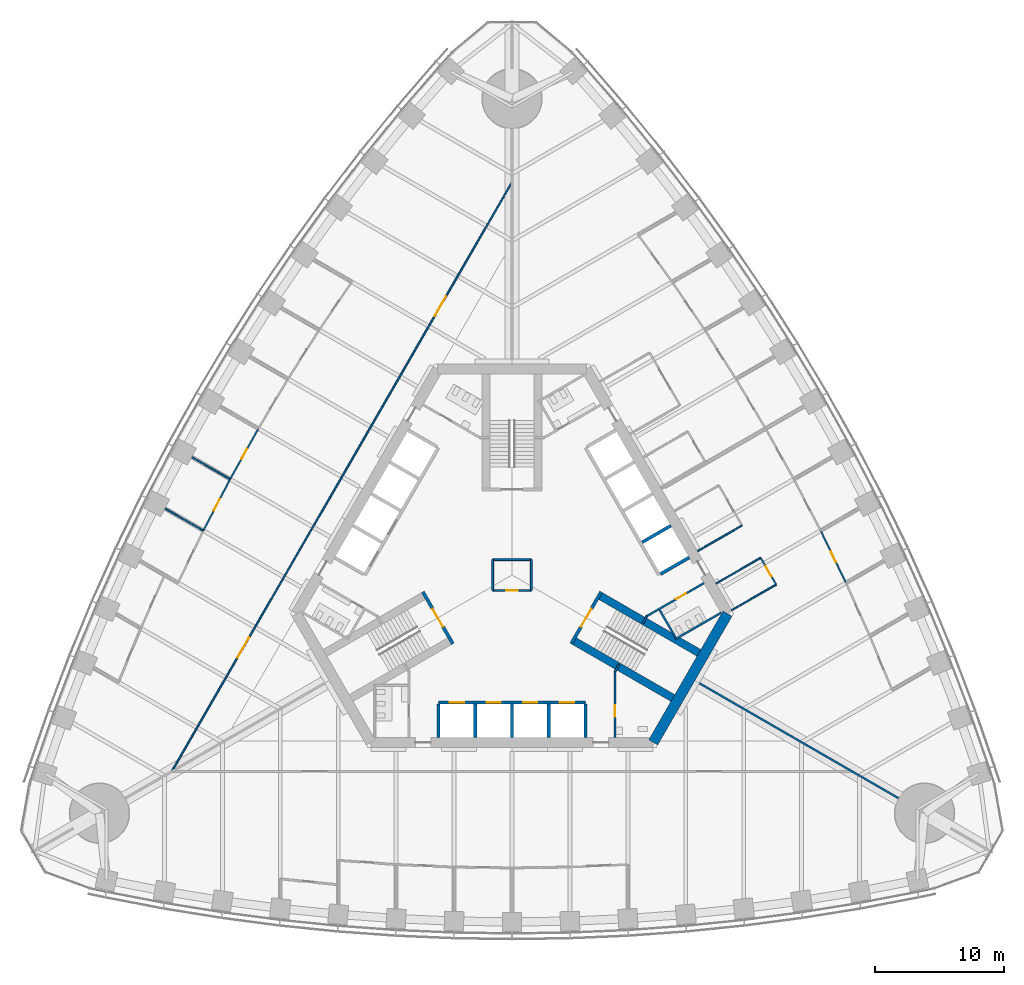
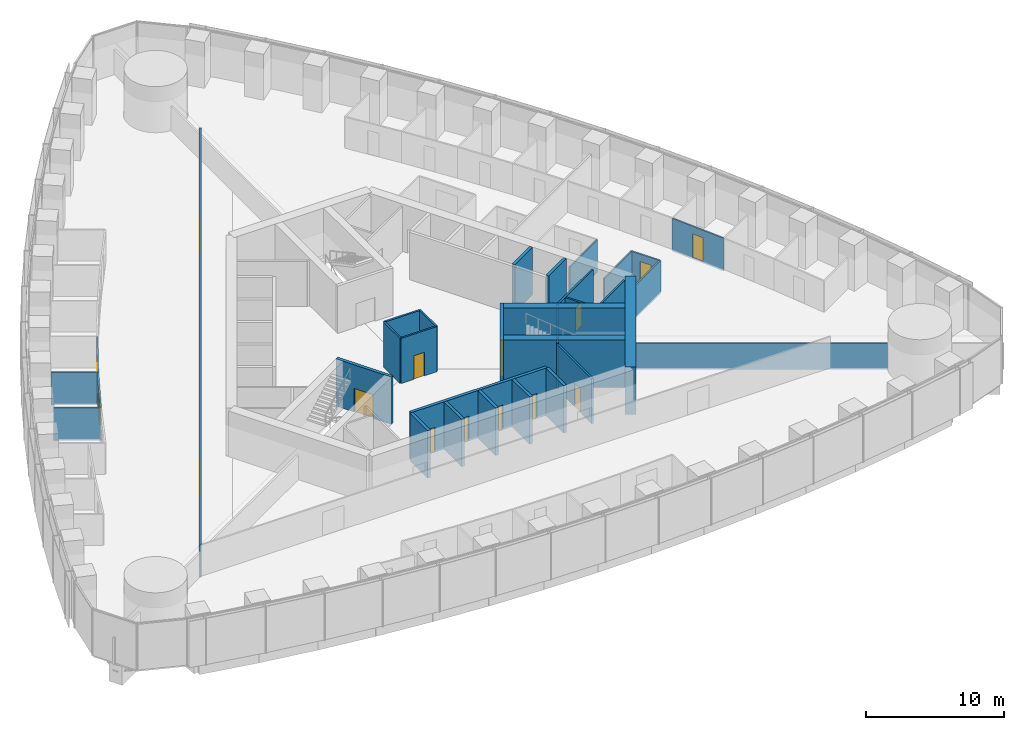
# One storey, part 11 of 18: 34 walls, 15 doors, 15 openings.
"""IFC4 building model written with IfcOpenShell, lengths in metres."""

from ifc_helpers import new_model, si_unit, direction, frame, frame_2d, origin, place, context, subcontext, project, spatial, rectangle, extrude, material, layer, layer_set, type_object, element, fill, save


model = new_model("IFC4")

# Units and contexts
model_context = context("Model", 3, precision=1e-05, world=origin(), true_north=direction((0.0, 1.0)))
body_context = subcontext(model_context, "Body", "Model", "MODEL_VIEW")
ifc_project = project(units=[si_unit("LENGTHUNIT", "METRE"), si_unit("AREAUNIT", "SQUARE_METRE"), si_unit("VOLUMEUNIT", "CUBIC_METRE"), si_unit("PLANEANGLEUNIT", "RADIAN"), si_unit("MASSUNIT", "GRAM", prefix="KILO")], contexts=[model_context])

# Site, building, storey
site_placement = place(None, origin())
site = spatial("IfcSite", under=ifc_project, at=site_placement, CompositionType="ELEMENT")
building_placement = place(site_placement, origin())
building = spatial("IfcBuilding", under=site, at=building_placement, Name="Trefoil Bronze Tower", CompositionType="ELEMENT")
storey_placement = place(building_placement, frame((0.0, 0.0, 54.300048828125)))
storey = spatial("IfcBuildingStorey", under=building, at=storey_placement, Name="L12", CompositionType="ELEMENT", Elevation=54.300048828125)

# Wall
ifc_material_1 = material(Name="Concrete B80", Category="concrete")
ifc_layer_1 = layer(ifc_material_1, 0.800048828125)
ifc_layer_set_1 = layer_set([ifc_layer_1], Name="Core wall 800")
wall_type_1 = type_object("IfcWallType", Name="Core wall 800", PredefinedType="SHEAR", material=ifc_layer_set_1)
wall_1_placement = place(storey_placement, frame((10.9697265625, -13.0, 0.0), z_axis=(0.0, 0.0, 1.0), x_axis=(0.499995765644, 0.866027848477, 0.0)))
element("IfcWall", 1, at=wall_1_placement, inside=storey, type_object=wall_type_1, Name="Core short wall 1 L12", PredefinedType="SHEAR", context=body_context, shape_type="SweptSolid", body=[
    extrude(rectangle(XDim=11.546875, YDim=0.800048828125, at=frame_2d((5.7734375, 0.0))), origin(), (0.0, 0.0, 1.0), 4.199951171875),
])

# Wall, opening, door
ifc_material_2 = material(Name="Glazed partition", Category="glass")
ifc_layer_2 = layer(ifc_material_2, 0.1201171875)
ifc_layer_set_2 = layer_set([ifc_layer_2], Name="Glazed partition 120")
wall_type_2 = type_object("IfcWallType", Name="Glazed partition 120", PredefinedType="PARTITIONING", material=ifc_layer_set_2)
wall_2_placement = place(storey_placement, frame((20.518798828125, -0.73974609375, 0.0), z_axis=(0.0, 0.0, 1.0), x_axis=(-0.499957262057, 0.866050077142, 0.0)))
wall_2 = element("IfcWall", 2, at=wall_2_placement, inside=storey, type_object=wall_type_2, Name="Partition F2 L12", PredefinedType="PARTITIONING", context=body_context, shape_type="SweptSolid", body=[
    extrude(rectangle(XDim=2.400146484375, YDim=0.1201171875, at=frame_2d((1.2001953125, 0.0))), origin(), (0.0, 0.0, 1.0), 2.89990234375),
])
opening_1_placement = place(wall_2_placement, frame((0.75, 0.0, 0.14990234375)))
opening_1 = element("IfcOpeningElement", 3, at=opening_1_placement, cuts=wall_2, Name="Opening D8", PredefinedType="OPENING", context=body_context, shape_type="SweptSolid", body=[
    extrude(rectangle(XDim=0.89990234375, YDim=2.10009765625, at=frame_2d((0.449951171875, 1.050048828125))), frame((0.0, 0.070068359375, 0.0), z_axis=(0.0, -1.0, 0.0), x_axis=(1.0, 0.0, 0.0)), (0.0, 0.0, 1.0), 0.14013671875),
])
ifc_material_3 = material(Name="Timber door", Category="wood")
door_type_1 = type_object("IfcDoorType", Name="Office door 900", OperationType="SINGLE_SWING_LEFT", PredefinedType="DOOR", material=ifc_material_3)
door_1_placement = place(opening_1_placement, origin())
door_1 = element("IfcDoor", 4, at=door_1_placement, inside=storey, type_object=door_type_1, Name="Print and store room door F2 L12", OperationType="SINGLE_SWING_RIGHT", OverallHeight=2.10009765625, OverallWidth=0.89990234375, PredefinedType="DOOR", context=body_context, shape_type="SweptSolid", body=[
    extrude(rectangle(XDim=0.89990234375, YDim=2.10009765625, at=frame_2d((0.449951171875, 1.050048828125))), frame((0.0, 0.02490234375, 0.0), z_axis=(0.0, -1.0, 0.0), x_axis=(1.0, 0.0, 0.0)), (0.0, 0.0, 1.0), 0.050048828125),
])
fill(opening_1, door_1)

# Walls
for number, where, z_axis, x_axis, name in (
    (5, (17.0546875, -2.73974609375, 0.0), (0.0, 0.0, 1.0), (0.866026010844, 0.49999894854, 0.0), "Partition F2 L12"),
    (6, (14.40478515625, 1.850341796875, 0.0), (0.0, 0.0, 1.0), (0.866026010844, 0.49999894854, 0.0), "Partition F2 L12"),
    (7, (15.854736328125, -0.6611328125, 0.0), (0.0, 0.0, 1.0), (0.866026010844, 0.49999894854, 0.0), "Partition F2 L12"),
):
    element("IfcWall", number, at=place(storey_placement, frame(where, z_axis=z_axis, x_axis=x_axis)), inside=storey, type_object=wall_type_2, Name=name, PredefinedType="PARTITIONING", context=body_context, shape_type="SweptSolid", body=[
        extrude(rectangle(XDim=4.0, YDim=0.1201171875, at=frame_2d((2.0, 0.0))), origin(), (0.0, 0.0, 1.0), 2.89990234375),
    ])

# Wall, opening, door
wall_3_placement = place(storey_placement, frame((25.941162109375, -0.611328125, 0.0), z_axis=(0.0, 0.0, 1.0), x_axis=(-0.435857917556, 0.900015486369, 0.0)))
wall_3 = element("IfcWall", 8, at=wall_3_placement, inside=storey, type_object=wall_type_2, Name="Partition F2 L12", PredefinedType="PARTITIONING", context=body_context, shape_type="SweptSolid", body=[
    extrude(rectangle(XDim=4.511962890625, YDim=0.1201171875, at=frame_2d((2.255859375, 0.0))), origin(), (0.0, 0.0, 1.0), 2.89990234375),
])
opening_2_placement = place(wall_3_placement, frame((1.800048828125, 0.0, 0.14990234375)))
opening_2 = element("IfcOpeningElement", 9, at=opening_2_placement, cuts=wall_3, Name="Opening D8", PredefinedType="OPENING", context=body_context, shape_type="SweptSolid", body=[
    extrude(rectangle(XDim=0.89990234375, YDim=2.10009765625, at=frame_2d((0.449951171875, 1.050048828125))), frame((0.0, 0.070068359375, 0.0), z_axis=(0.0, -1.0, 0.0), x_axis=(1.0, 0.0, 0.0)), (0.0, 0.0, 1.0), 0.14013671875),
])
door_2_placement = place(opening_2_placement, frame((0.89990234375, 0.0, 0.0), z_axis=(0.0, 0.0, 1.0), x_axis=(-1.0, 0.0, 0.0)))
door_2 = element("IfcDoor", 10, at=door_2_placement, inside=storey, type_object=door_type_1, Name="Office door F2 L12", OperationType="SINGLE_SWING_RIGHT", OverallHeight=2.10009765625, OverallWidth=0.89990234375, PredefinedType="DOOR", context=body_context, shape_type="SweptSolid", body=[
    extrude(rectangle(XDim=0.89990234375, YDim=2.10009765625, at=frame_2d((0.449951171875, 1.050048828125))), frame((0.0, 0.02490234375, 0.0), z_axis=(0.0, -1.0, 0.0), x_axis=(1.0, 0.0, 0.0)), (0.0, 0.0, 1.0), 0.050048828125),
])
fill(opening_2, door_2)

# Wall, openings, doors
wall_4_placement = place(storey_placement, frame((-0.016357421875, 30.491455078125, 0.0), z_axis=(0.0, 0.0, 1.0), x_axis=(-0.50000091641, -0.866024874695, 0.0)))
wall_4 = element("IfcWall", 11, at=wall_4_placement, inside=storey, type_object=wall_type_2, Name="Partition F3 L12", PredefinedType="PARTITIONING", context=body_context, shape_type="SweptSolid", body=[
    extrude(rectangle(XDim=52.79638671875, YDim=0.1201171875, at=frame_2d((26.398193359375, 0.0))), origin(), (0.0, 0.0, 1.0), 2.89990234375),
])
opening_3_placement = place(wall_4_placement, frame((10.199951171875, 0.0, 0.14990234375)))
opening_3 = element("IfcOpeningElement", 12, at=opening_3_placement, cuts=wall_4, Name="Opening D10", PredefinedType="OPENING", context=body_context, shape_type="SweptSolid", body=[
    extrude(rectangle(XDim=1.800048828125, YDim=2.10009765625, at=frame_2d((0.89990234375, 1.050048828125))), frame((0.0, 0.070068359375, 0.0), z_axis=(0.0, -1.0, 0.0), x_axis=(1.0, 0.0, 0.0)), (0.0, 0.0, 1.0), 0.14013671875),
])
opening_4_placement = place(wall_4_placement, frame((40.800048828125, 0.0, 0.14990234375)))
opening_4 = element("IfcOpeningElement", 13, at=opening_4_placement, cuts=wall_4, Name="Opening D10", PredefinedType="OPENING", context=body_context, shape_type="SweptSolid", body=[
    extrude(rectangle(XDim=1.800048828125, YDim=2.10009765625, at=frame_2d((0.89990234375, 1.050048828125))), frame((0.0, 0.070068359375, 0.0), z_axis=(0.0, -1.0, 0.0), x_axis=(1.0, 0.0, 0.0)), (0.0, 0.0, 1.0), 0.14013671875),
])
ifc_material_4 = material(Name="Timber door", Category="wood")
door_type_2 = type_object("IfcDoorType", Name="Double door 1800", OperationType="DOUBLE_DOOR_SINGLE_SWING", PredefinedType="DOOR", material=ifc_material_4)
door_3_placement = place(opening_3_placement, origin())
door_3 = element("IfcDoor", 14, at=door_3_placement, inside=storey, type_object=door_type_2, Name="Corridor door F3 L12", OperationType="DOUBLE_DOOR_SINGLE_SWING", OverallHeight=2.10009765625, OverallWidth=1.800048828125, PredefinedType="DOOR", context=body_context, shape_type="SweptSolid", body=[
    extrude(rectangle(XDim=1.800048828125, YDim=2.10009765625, at=frame_2d((0.89990234375, 1.050048828125))), frame((0.0, 0.02490234375, 0.0), z_axis=(0.0, -1.0, 0.0), x_axis=(1.0, 0.0, 0.0)), (0.0, 0.0, 1.0), 0.050048828125),
])
fill(opening_3, door_3)
door_4_placement = place(opening_4_placement, origin())
door_4 = element("IfcDoor", 15, at=door_4_placement, inside=storey, type_object=door_type_2, Name="Corridor door F3 L12", OperationType="DOUBLE_DOOR_SINGLE_SWING", OverallHeight=2.10009765625, OverallWidth=1.800048828125, PredefinedType="DOOR", context=body_context, shape_type="SweptSolid", body=[
    extrude(rectangle(XDim=1.800048828125, YDim=2.10009765625, at=frame_2d((0.89990234375, 1.050048828125))), frame((0.0, 0.02490234375, 0.0), z_axis=(0.0, -1.0, 0.0), x_axis=(1.0, 0.0, 0.0)), (0.0, 0.0, 1.0), 0.050048828125),
])
fill(opening_4, door_4)

# Wall, opening, door
wall_5_placement = place(storey_placement, frame((-19.700927734375, 11.374267578125, 0.0), z_axis=(0.0, 0.0, 1.0), x_axis=(-0.487415216275, -0.87317031955, 0.0)))
wall_5 = element("IfcWall", 16, at=wall_5_placement, inside=storey, type_object=wall_type_2, Name="Partition F3 L12", PredefinedType="PARTITIONING", context=body_context, shape_type="SweptSolid", body=[
    extrude(rectangle(XDim=4.50048828125, YDim=0.1201171875, at=frame_2d((2.250244140625, 0.0))), origin(), (0.0, 0.0, 1.0), 2.89990234375),
])
opening_5_placement = place(wall_5_placement, frame((1.800048828125, 0.0, 0.14990234375)))
opening_5 = element("IfcOpeningElement", 17, at=opening_5_placement, cuts=wall_5, Name="Opening D8", PredefinedType="OPENING", context=body_context, shape_type="SweptSolid", body=[
    extrude(rectangle(XDim=0.89990234375, YDim=2.10009765625, at=frame_2d((0.449951171875, 1.050048828125))), frame((0.0, 0.070068359375, 0.0), z_axis=(0.0, -1.0, 0.0), x_axis=(1.0, 0.0, 0.0)), (0.0, 0.0, 1.0), 0.14013671875),
])
door_5_placement = place(opening_5_placement, frame((0.89990234375, 0.0, 0.0), z_axis=(0.0, 0.0, 1.0), x_axis=(-1.0, 0.0, 0.0)))
door_5 = element("IfcDoor", 18, at=door_5_placement, inside=storey, type_object=door_type_1, Name="Office door F3 L12", OperationType="SINGLE_SWING_RIGHT", OverallHeight=2.10009765625, OverallWidth=0.89990234375, PredefinedType="DOOR", context=body_context, shape_type="SweptSolid", body=[
    extrude(rectangle(XDim=0.89990234375, YDim=2.10009765625, at=frame_2d((0.449951171875, 1.050048828125))), frame((0.0, 0.02490234375, 0.0), z_axis=(0.0, -1.0, 0.0), x_axis=(1.0, 0.0, 0.0)), (0.0, 0.0, 1.0), 0.050048828125),
])
fill(opening_5, door_5)

wall_6_placement = place(storey_placement, frame((-21.89453125, 7.444580078125, 0.0), z_axis=(0.0, 0.0, 1.0), x_axis=(-0.461810056307, -0.886978845235, 0.0)))
wall_6 = element("IfcWall", 19, at=wall_6_placement, inside=storey, type_object=wall_type_2, Name="Partition F3 L12", PredefinedType="PARTITIONING", context=body_context, shape_type="SweptSolid", body=[
    extrude(rectangle(XDim=4.504150390625, YDim=0.1201171875, at=frame_2d((2.251953125, 0.0))), origin(), (0.0, 0.0, 1.0), 2.89990234375),
])
opening_6_placement = place(wall_6_placement, frame((1.75, 0.0, 0.14990234375)))
opening_6 = element("IfcOpeningElement", 20, at=opening_6_placement, cuts=wall_6, Name="Opening D9", PredefinedType="OPENING", context=body_context, shape_type="SweptSolid", body=[
    extrude(rectangle(XDim=1.0, YDim=2.10009765625, at=frame_2d((0.5, 1.050048828125))), frame((0.0, 0.070068359375, 0.0), z_axis=(0.0, -1.0, 0.0), x_axis=(1.0, 0.0, 0.0)), (0.0, 0.0, 1.0), 0.14013671875),
])
ifc_material_5 = material(Name="Glazed timber door", Category="wood")
door_type_3 = type_object("IfcDoorType", Name="Meeting room door 1000", OperationType="SINGLE_SWING_LEFT", PredefinedType="DOOR", material=ifc_material_5)
door_6_placement = place(opening_6_placement, frame((1.0, 0.0, 0.0), z_axis=(0.0, 0.0, 1.0), x_axis=(-1.0, 0.0, 0.0)))
door_6 = element("IfcDoor", 21, at=door_6_placement, inside=storey, type_object=door_type_3, Name="Meeting room door F3 L12", OperationType="SINGLE_SWING_RIGHT", OverallHeight=2.10009765625, OverallWidth=1.0, PredefinedType="DOOR", context=body_context, shape_type="SweptSolid", body=[
    extrude(rectangle(XDim=1.0, YDim=2.10009765625, at=frame_2d((0.5, 1.050048828125))), frame((0.0, 0.02490234375, 0.0), z_axis=(0.0, -1.0, 0.0), x_axis=(1.0, 0.0, 0.0)), (0.0, 0.0, 1.0), 0.050048828125),
])
fill(opening_6, door_6)

# Walls
wall_7_placement = place(storey_placement, frame((-21.89453125, 7.444580078125, 0.0), z_axis=(0.0, 0.0, 1.0), x_axis=(-0.866015553834, 0.500017060227, 0.0)))
element("IfcWall", 22, at=wall_7_placement, inside=storey, type_object=wall_type_2, Name="Partition F3 L12", PredefinedType="PARTITIONING", context=body_context, shape_type="SweptSolid", body=[
    extrude(rectangle(XDim=3.41943359375, YDim=0.1201171875, at=frame_2d((1.709716796875, 0.0))), origin(), (0.0, 0.0, 1.0), 2.89990234375),
])
wall_8_placement = place(storey_placement, frame((-23.974609375, 3.449462890625, 0.0), z_axis=(0.0, 0.0, 1.0), x_axis=(-0.866014265796, 0.500019291066, 0.0)))
element("IfcWall", 23, at=wall_8_placement, inside=storey, type_object=wall_type_2, Name="Partition F3 L12", PredefinedType="PARTITIONING", context=body_context, shape_type="SweptSolid", body=[
    extrude(rectangle(XDim=3.417236328125, YDim=0.1201171875, at=frame_2d((1.70849609375, 0.0))), origin(), (0.0, 0.0, 1.0), 2.89990234375),
])

# Wall, opening, door
ifc_material_6 = material(Name="Gypsum board on steel studs", Category="steel")
ifc_layer_3 = layer(ifc_material_6, 0.14990234375)
ifc_layer_set_3 = layer_set([ifc_layer_3], Name="Partition 150")
wall_type_3 = type_object("IfcWallType", Name="Partition 150", PredefinedType="PARTITIONING", material=ifc_layer_set_3)
wall_9_placement = place(storey_placement, frame((8.0, -7.5, 0.0), z_axis=(0.0, 0.0, 1.0), x_axis=(0.0, -1.0, 0.0)))
wall_9 = element("IfcWall", 24, at=wall_9_placement, inside=storey, type_object=wall_type_3, Name="Passage wall F1+ L12", PredefinedType="PARTITIONING", context=body_context, shape_type="SweptSolid", body=[
    extrude(rectangle(XDim=5.10009765625, YDim=0.14990234375, at=frame_2d((2.550048828125, 0.0))), origin(), (0.0, 0.0, 1.0), 4.0),
])
opening_7_placement = place(wall_9_placement, frame((2.60009765625, 0.0, 0.0)))
opening_7 = element("IfcOpeningElement", 25, at=opening_7_placement, cuts=wall_9, Name="Opening D3", PredefinedType="OPENING", context=body_context, shape_type="SweptSolid", body=[
    extrude(rectangle(XDim=0.89990234375, YDim=2.10009765625, at=frame_2d((0.449951171875, 1.050048828125))), frame((0.0, 0.0849609375, 0.0), z_axis=(0.0, -1.0, 0.0), x_axis=(1.0, 0.0, 0.0)), (0.0, 0.0, 1.0), 0.169921875),
])
ifc_material_7 = material(Name="Timber door", Category="wood")
door_type_4 = type_object("IfcDoorType", Name="WC door 900", OperationType="SINGLE_SWING_LEFT", PredefinedType="DOOR", material=ifc_material_7)
door_7_placement = place(opening_7_placement, origin())
door_7 = element("IfcDoor", 26, at=door_7_placement, inside=storey, type_object=door_type_4, Name="Accessible WC door L12", OperationType="SINGLE_SWING_RIGHT", OverallHeight=2.10009765625, OverallWidth=0.89990234375, PredefinedType="DOOR", context=body_context, shape_type="SweptSolid", body=[
    extrude(rectangle(XDim=0.89990234375, YDim=2.10009765625, at=frame_2d((0.449951171875, 1.050048828125))), frame((0.0, 0.02490234375, 0.0), z_axis=(0.0, -1.0, 0.0), x_axis=(1.0, 0.0, 0.0)), (0.0, 0.0, 1.0), 0.050048828125),
])
fill(opening_7, door_7)

wall_10_placement = place(storey_placement, frame((10.4951171875, -3.17822265625, 0.0), z_axis=(0.0, 0.0, 1.0), x_axis=(0.86602216432, 0.500005610874, 0.0)))
wall_10 = element("IfcWall", 27, at=wall_10_placement, inside=storey, type_object=wall_type_3, Name="Passage wall F2- L12", PredefinedType="PARTITIONING", context=body_context, shape_type="SweptSolid", body=[
    extrude(rectangle(XDim=5.10009765625, YDim=0.14990234375, at=frame_2d((2.550048828125, 0.0))), origin(), (0.0, 0.0, 1.0), 4.0),
])
opening_8_placement = place(wall_10_placement, frame((2.60009765625, 0.0, 0.0)))
opening_8 = element("IfcOpeningElement", 28, at=opening_8_placement, cuts=wall_10, Name="Opening D3", PredefinedType="OPENING", context=body_context, shape_type="SweptSolid", body=[
    extrude(rectangle(XDim=0.89990234375, YDim=2.10009765625, at=frame_2d((0.449951171875, 1.050048828125))), frame((0.0, 0.0849609375, 0.0), z_axis=(0.0, -1.0, 0.0), x_axis=(1.0, 0.0, 0.0)), (0.0, 0.0, 1.0), 0.169921875),
])
door_8_placement = place(opening_8_placement, frame((0.89990234375, 0.0, 0.0), z_axis=(0.0, 0.0, 1.0), x_axis=(-1.0, 0.0, 0.0)))
door_8 = element("IfcDoor", 29, at=door_8_placement, inside=storey, type_object=door_type_4, Name="WC (women) door L12", OperationType="SINGLE_SWING_RIGHT", OverallHeight=2.10009765625, OverallWidth=0.89990234375, PredefinedType="DOOR", context=body_context, shape_type="SweptSolid", body=[
    extrude(rectangle(XDim=0.89990234375, YDim=2.10009765625, at=frame_2d((0.449951171875, 1.050048828125))), frame((0.0, 0.02490234375, 0.0), z_axis=(0.0, -1.0, 0.0), x_axis=(1.0, 0.0, 0.0)), (0.0, 0.0, 1.0), 0.050048828125),
])
fill(opening_8, door_8)

# Walls
for number, where, z_axis, x_axis, name in (
    (30, (8.0, -7.5, 0.0), (0.0, 0.0, 1.0), (0.499842556608, 0.866116284689, 0.0), "WC wall ST1-1 L12"),
    (31, (10.4951171875, -3.17822265625, 0.0), (0.0, 0.0, 1.0), (-0.499842556608, -0.866116284689, 0.0), "WC wall ST1+1 L12"),
):
    element("IfcWall", number, at=place(storey_placement, frame(where, z_axis=z_axis, x_axis=x_axis)), inside=storey, type_object=wall_type_3, Name=name, PredefinedType="PARTITIONING", context=body_context, shape_type="SweptSolid", body=[
        extrude(rectangle(XDim=0.645263671875, YDim=0.14990234375, at=frame_2d((0.32275390625, 0.0))), origin(), (0.0, 0.0, 1.0), 4.0),
    ])
wall_11_placement = place(storey_placement, frame((12.691162109375, -4.98193359375, 0.0), z_axis=(0.0, 0.0, 1.0), x_axis=(0.8660249478, 0.500000789788, 0.0)))
element("IfcWall", 32, at=wall_11_placement, inside=storey, type_object=wall_type_3, Name="WC partition WC (women) L12", PredefinedType="PARTITIONING", context=body_context, shape_type="SweptSolid", body=[
    extrude(rectangle(XDim=4.10009765625, YDim=0.14990234375, at=frame_2d((2.050048828125, 0.0))), origin(), (0.0, 0.0, 1.0), 4.0),
])
wall_12_placement = place(storey_placement, frame((11.463623046875, -2.70556640625, 0.0), z_axis=(0.0, 0.0, 1.0), x_axis=(0.50001992892, -0.866013897511, 0.0)))
element("IfcWall", 33, at=wall_12_placement, inside=storey, type_object=wall_type_3, Name="WC partition WC (women) L12", PredefinedType="PARTITIONING", context=body_context, shape_type="SweptSolid", body=[
    extrude(rectangle(XDim=2.51025390625, YDim=0.14990234375, at=frame_2d((1.255126953125, 0.0))), origin(), (0.0, 0.0, 1.0), 4.0),
])
ifc_material_8 = material(Name="Gypsum board on steel studs", Category="steel")
ifc_layer_4 = layer(ifc_material_8, 0.14990234375)
ifc_layer_set_4 = layer_set([ifc_layer_4], Name="Party wall 150")
wall_type_4 = type_object("IfcWallType", Name="Party wall 150", PredefinedType="PARTITIONING", material=ifc_layer_set_4)
wall_13_placement = place(storey_placement, frame((14.202880859375, -8.199951171875, 0.0), z_axis=(0.0, 0.0, 1.0), x_axis=(0.866024965723, -0.500000758745, 0.0)))
element("IfcWall", 34, at=wall_13_placement, inside=storey, type_object=wall_type_4, Name="Party wall K1 L12", PredefinedType="PARTITIONING", context=body_context, shape_type="SweptSolid", body=[
    extrude(rectangle(XDim=18.25, YDim=0.14990234375, at=frame_2d((9.125, 0.0))), origin(), (0.0, 0.0, 1.0), 2.300048828125),
])

# Wall, opening, door
ifc_material_9 = material(Name="Gypsum board on steel studs", Category="steel")
ifc_layer_5 = layer(ifc_material_9, 0.14990234375)
ifc_layer_set_5 = layer_set([ifc_layer_5], Name="Riser wall 150")
wall_type_5 = type_object("IfcWallType", Name="Riser wall 150", PredefinedType="PARTITIONING", material=ifc_layer_set_5)
wall_14_placement = place(storey_placement, frame((-1.5, -1.199951171875, 0.0), z_axis=(0.0, 0.0, 1.0), x_axis=(1.0, 0.0, 0.0)))
wall_14 = element("IfcWall", 35, at=wall_14_placement, inside=storey, type_object=wall_type_5, Name="Riser wall L12", PredefinedType="PARTITIONING", context=body_context, shape_type="SweptSolid", body=[
    extrude(rectangle(XDim=3.0, YDim=0.14990234375, at=frame_2d((1.5, 0.0))), origin(), (0.0, 0.0, 1.0), 4.0),
])
opening_9_placement = place(wall_14_placement, frame((1.050048828125, 0.0, 0.0)))
opening_9 = element("IfcOpeningElement", 36, at=opening_9_placement, cuts=wall_14, Name="Opening D4", PredefinedType="OPENING", context=body_context, shape_type="SweptSolid", body=[
    extrude(rectangle(XDim=0.89990234375, YDim=2.10009765625, at=frame_2d((0.449951171875, 1.050048828125))), frame((0.0, 0.0849609375, 0.0), z_axis=(0.0, -1.0, 0.0), x_axis=(1.0, 0.0, 0.0)), (0.0, 0.0, 1.0), 0.169921875),
])
ifc_material_10 = material(Name="Steel door", Category="steel")
door_type_5 = type_object("IfcDoorType", Name="Riser door 900", OperationType="SINGLE_SWING_LEFT", PredefinedType="DOOR", material=ifc_material_10)
door_9_placement = place(opening_9_placement, frame((0.89990234375, 0.0, 0.0), z_axis=(0.0, 0.0, 1.0), x_axis=(-1.0, 0.0, 0.0)))
door_9 = element("IfcDoor", 37, at=door_9_placement, inside=storey, type_object=door_type_5, Name="Riser door L12", OperationType="SINGLE_SWING_LEFT", OverallHeight=2.10009765625, OverallWidth=0.89990234375, PredefinedType="DOOR", context=body_context, shape_type="SweptSolid", body=[
    extrude(rectangle(XDim=0.89990234375, YDim=2.10009765625, at=frame_2d((0.449951171875, 1.050048828125))), frame((0.0, 0.02490234375, 0.0), z_axis=(0.0, -1.0, 0.0), x_axis=(1.0, 0.0, 0.0)), (0.0, 0.0, 1.0), 0.050048828125),
])
fill(opening_9, door_9)

# Walls
wall_15_placement = place(storey_placement, frame((1.5, -1.199951171875, 0.0), z_axis=(0.0, 0.0, 1.0), x_axis=(0.0, 1.0, 0.0)))
element("IfcWall", 38, at=wall_15_placement, inside=storey, type_object=wall_type_5, Name="Riser wall L12", PredefinedType="PARTITIONING", context=body_context, shape_type="SweptSolid", body=[
    extrude(rectangle(XDim=2.39990234375, YDim=0.14990234375, at=frame_2d((1.199951171875, 0.0))), origin(), (0.0, 0.0, 1.0), 4.0),
])
wall_16_placement = place(storey_placement, frame((1.5, 1.199951171875, 0.0), z_axis=(0.0, 0.0, 1.0), x_axis=(-1.0, 0.0, 0.0)))
element("IfcWall", 39, at=wall_16_placement, inside=storey, type_object=wall_type_5, Name="Riser wall L12", PredefinedType="PARTITIONING", context=body_context, shape_type="SweptSolid", body=[
    extrude(rectangle(XDim=3.0, YDim=0.14990234375, at=frame_2d((1.5, 0.0))), origin(), (0.0, 0.0, 1.0), 4.0),
])
wall_17_placement = place(storey_placement, frame((-1.5, 1.199951171875, 0.0), z_axis=(0.0, 0.0, 1.0), x_axis=(0.0, -1.0, 0.0)))
element("IfcWall", 40, at=wall_17_placement, inside=storey, type_object=wall_type_5, Name="Riser wall L12", PredefinedType="PARTITIONING", context=body_context, shape_type="SweptSolid", body=[
    extrude(rectangle(XDim=2.39990234375, YDim=0.14990234375, at=frame_2d((1.199951171875, 0.0))), origin(), (0.0, 0.0, 1.0), 4.0),
])

# Wall, openings, doors
ifc_material_11 = material(Name="Concrete B80", Category="concrete")
ifc_layer_6 = layer(ifc_material_11, 0.25)
ifc_layer_set_6 = layer_set([ifc_layer_6], Name="Shaft wall 250")
wall_type_6 = type_object("IfcWallType", Name="Shaft wall 250", PredefinedType="SHEAR", material=ifc_layer_set_6)
wall_18_placement = place(storey_placement, frame((-5.699951171875, -9.89990234375, 0.0), z_axis=(0.0, 0.0, 1.0), x_axis=(1.0, 0.0, 0.0)))
wall_18 = element("IfcWall", 41, at=wall_18_placement, inside=storey, type_object=wall_type_6, Name="Lift shaft front wall A L12", PredefinedType="SHEAR", context=body_context, shape_type="SweptSolid", body=[
    extrude(rectangle(XDim=11.39990234375, YDim=0.25, at=frame_2d((5.699951171875, 0.0))), origin(), (0.0, 0.0, 1.0), 4.199951171875),
])
opening_10_placement = place(wall_18_placement, frame((0.875, 0.0, 0.0)))
opening_10 = element("IfcOpeningElement", 42, at=opening_10_placement, cuts=wall_18, Name="Opening LD-P11", PredefinedType="OPENING", context=body_context, shape_type="SweptSolid", body=[
    extrude(rectangle(XDim=1.10009765625, YDim=2.199951171875, at=frame_2d((0.550048828125, 1.10009765625))), frame((0.0, 0.135009765625, 0.0), z_axis=(0.0, -1.0, 0.0), x_axis=(1.0, 0.0, 0.0)), (0.0, 0.0, 1.0), 0.27001953125),
])
opening_11_placement = place(wall_18_placement, frame((3.72509765625, 0.0, 0.0)))
opening_11 = element("IfcOpeningElement", 43, at=opening_11_placement, cuts=wall_18, Name="Opening LD-P12", PredefinedType="OPENING", context=body_context, shape_type="SweptSolid", body=[
    extrude(rectangle(XDim=1.10009765625, YDim=2.199951171875, at=frame_2d((0.550048828125, 1.10009765625))), frame((0.0, 0.135009765625, 0.0), z_axis=(0.0, -1.0, 0.0), x_axis=(1.0, 0.0, 0.0)), (0.0, 0.0, 1.0), 0.27001953125),
])
opening_12_placement = place(wall_18_placement, frame((6.574951171875, 0.0, 0.0)))
opening_12 = element("IfcOpeningElement", 44, at=opening_12_placement, cuts=wall_18, Name="Opening LD-P13", PredefinedType="OPENING", context=body_context, shape_type="SweptSolid", body=[
    extrude(rectangle(XDim=1.10009765625, YDim=2.199951171875, at=frame_2d((0.550048828125, 1.10009765625))), frame((0.0, 0.135009765625, 0.0), z_axis=(0.0, -1.0, 0.0), x_axis=(1.0, 0.0, 0.0)), (0.0, 0.0, 1.0), 0.27001953125),
])
opening_13_placement = place(wall_18_placement, frame((9.425048828125, 0.0, 0.0)))
opening_13 = element("IfcOpeningElement", 45, at=opening_13_placement, cuts=wall_18, Name="Opening LD-P14", PredefinedType="OPENING", context=body_context, shape_type="SweptSolid", body=[
    extrude(rectangle(XDim=1.10009765625, YDim=2.199951171875, at=frame_2d((0.550048828125, 1.10009765625))), frame((0.0, 0.135009765625, 0.0), z_axis=(0.0, -1.0, 0.0), x_axis=(1.0, 0.0, 0.0)), (0.0, 0.0, 1.0), 0.27001953125),
])
ifc_material_12 = material(Name="Steel door", Category="steel")
door_type_6 = type_object("IfcDoorType", Name="Lift landing door 1100", OperationType="DOUBLE_DOOR_SLIDING", PredefinedType="DOOR", material=ifc_material_12)
door_10_placement = place(opening_10_placement, origin())
door_10 = element("IfcDoor", 46, at=door_10_placement, inside=storey, type_object=door_type_6, Name="Lift P11 landing door L12", OperationType="DOUBLE_DOOR_SLIDING", OverallHeight=2.199951171875, OverallWidth=1.10009765625, PredefinedType="DOOR", context=body_context, shape_type="SweptSolid", body=[
    extrude(rectangle(XDim=1.10009765625, YDim=2.199951171875, at=frame_2d((0.550048828125, 1.10009765625))), frame((0.0, 0.02490234375, 0.0), z_axis=(0.0, -1.0, 0.0), x_axis=(1.0, 0.0, 0.0)), (0.0, 0.0, 1.0), 0.050048828125),
])
fill(opening_10, door_10)
door_11_placement = place(opening_11_placement, origin())
door_11 = element("IfcDoor", 47, at=door_11_placement, inside=storey, type_object=door_type_6, Name="Lift P12 landing door L12", OperationType="DOUBLE_DOOR_SLIDING", OverallHeight=2.199951171875, OverallWidth=1.10009765625, PredefinedType="DOOR", context=body_context, shape_type="SweptSolid", body=[
    extrude(rectangle(XDim=1.10009765625, YDim=2.199951171875, at=frame_2d((0.550048828125, 1.10009765625))), frame((0.0, 0.02490234375, 0.0), z_axis=(0.0, -1.0, 0.0), x_axis=(1.0, 0.0, 0.0)), (0.0, 0.0, 1.0), 0.050048828125),
])
fill(opening_11, door_11)
door_12_placement = place(opening_12_placement, origin())
door_12 = element("IfcDoor", 48, at=door_12_placement, inside=storey, type_object=door_type_6, Name="Lift P13 landing door L12", OperationType="DOUBLE_DOOR_SLIDING", OverallHeight=2.199951171875, OverallWidth=1.10009765625, PredefinedType="DOOR", context=body_context, shape_type="SweptSolid", body=[
    extrude(rectangle(XDim=1.10009765625, YDim=2.199951171875, at=frame_2d((0.550048828125, 1.10009765625))), frame((0.0, 0.02490234375, 0.0), z_axis=(0.0, -1.0, 0.0), x_axis=(1.0, 0.0, 0.0)), (0.0, 0.0, 1.0), 0.050048828125),
])
fill(opening_12, door_12)
door_13_placement = place(opening_13_placement, origin())
door_13 = element("IfcDoor", 49, at=door_13_placement, inside=storey, type_object=door_type_6, Name="Lift P14 landing door L12", OperationType="DOUBLE_DOOR_SLIDING", OverallHeight=2.199951171875, OverallWidth=1.10009765625, PredefinedType="DOOR", context=body_context, shape_type="SweptSolid", body=[
    extrude(rectangle(XDim=1.10009765625, YDim=2.199951171875, at=frame_2d((0.550048828125, 1.10009765625))), frame((0.0, 0.02490234375, 0.0), z_axis=(0.0, -1.0, 0.0), x_axis=(1.0, 0.0, 0.0)), (0.0, 0.0, 1.0), 0.050048828125),
])
fill(opening_13, door_13)

# Walls
for number, where, z_axis, x_axis, name in (
    (50, (-5.699951171875, -10.02490234375, 0.0), (0.0, 0.0, 1.0), (0.0, -1.0, 0.0), "Lift shaft side wall A0 L12"),
    (51, (-2.85009765625, -10.02490234375, 0.0), (0.0, 0.0, 1.0), (0.0, -1.0, 0.0), "Lift shaft side wall A1 L12"),
    (52, (0.0, -10.02490234375, 0.0), (0.0, 0.0, 1.0), (0.0, -1.0, 0.0), "Lift shaft side wall A2 L12"),
    (53, (2.85009765625, -10.02490234375, 0.0), (0.0, 0.0, 1.0), (0.0, -1.0, 0.0), "Lift shaft side wall A3 L12"),
    (54, (5.699951171875, -10.02490234375, 0.0), (0.0, 0.0, 1.0), (0.0, -1.0, 0.0), "Lift shaft side wall A4 L12"),
):
    element("IfcWall", number, at=place(storey_placement, frame(where, z_axis=z_axis, x_axis=x_axis)), inside=storey, type_object=wall_type_6, Name=name, PredefinedType="SHEAR", context=body_context, shape_type="SweptSolid", body=[
        extrude(rectangle(XDim=2.5751953125, YDim=0.25, at=frame_2d((1.28759765625, 0.0))), origin(), (0.0, 0.0, 1.0), 4.199951171875),
    ])
for number, where, z_axis, x_axis, name in (
    (55, (11.531982421875, 0.076171875, 0.0), (0.0, 0.0, 1.0), (0.866005588531, 0.500034319456, 0.0), "Lift shaft side wall B0 L12"),
    (56, (10.10693359375, 2.54443359375, 0.0), (0.0, 0.0, 1.0), (0.866046643894, 0.499963209246, 0.0), "Lift shaft side wall B1 L12"),
):
    element("IfcWall", number, at=place(storey_placement, frame(where, z_axis=z_axis, x_axis=x_axis)), inside=storey, type_object=wall_type_6, Name=name, PredefinedType="SHEAR", context=body_context, shape_type="SweptSolid", body=[
        extrude(rectangle(XDim=2.574951171875, YDim=0.25, at=frame_2d((1.28759765625, 0.0))), origin(), (0.0, 0.0, 1.0), 4.199951171875),
    ])

# Wall, opening, door
wall_19_placement = place(storey_placement, frame((4.5966796875, -5.338623046875, 0.0), z_axis=(0.0, 0.0, 1.0), x_axis=(0.499984536904, 0.866034331223, 0.0)))
wall_19 = element("IfcWall", 57, at=wall_19_placement, inside=storey, type_object=wall_type_6, Name="Stair end wall ST1 L12", PredefinedType="SHEAR", context=body_context, shape_type="SweptSolid", body=[
    extrude(rectangle(XDim=4.650146484375, YDim=0.25, at=frame_2d((2.3251953125, 0.0))), origin(), (0.0, 0.0, 1.0), 4.199951171875),
])
opening_14_placement = place(wall_19_placement, frame((1.52490234375, 0.0, 0.0)))
opening_14 = element("IfcOpeningElement", 58, at=opening_14_placement, cuts=wall_19, Name="Opening D1", PredefinedType="OPENING", context=body_context, shape_type="SweptSolid", body=[
    extrude(rectangle(XDim=1.60009765625, YDim=2.10009765625, at=frame_2d((0.800048828125, 1.050048828125))), frame((0.0, 0.135009765625, 0.0), z_axis=(0.0, -1.0, 0.0), x_axis=(1.0, 0.0, 0.0)), (0.0, 0.0, 1.0), 0.27001953125),
])
ifc_material_13 = material(Name="Steel door", Category="steel")
door_type_7 = type_object("IfcDoorType", Name="Stair door 1600", OperationType="DOUBLE_DOOR_SINGLE_SWING", PredefinedType="DOOR", material=ifc_material_13)
door_14_placement = place(opening_14_placement, frame((1.60009765625, 0.0, 0.0), z_axis=(0.0, 0.0, 1.0), x_axis=(-1.0, 0.0, 0.0)))
door_14 = element("IfcDoor", 59, at=door_14_placement, inside=storey, type_object=door_type_7, Name="Stair door ST1 L12", OperationType="DOUBLE_DOOR_SINGLE_SWING", OverallHeight=2.10009765625, OverallWidth=1.60009765625, PredefinedType="DOOR", context=body_context, shape_type="SweptSolid", body=[
    extrude(rectangle(XDim=1.60009765625, YDim=2.10009765625, at=frame_2d((0.800048828125, 1.050048828125))), frame((0.0, 0.02490234375, 0.0), z_axis=(0.0, -1.0, 0.0), x_axis=(1.0, 0.0, 0.0)), (0.0, 0.0, 1.0), 0.050048828125),
])
fill(opening_14, door_14)

wall_20_placement = place(storey_placement, frame((-6.921630859375, -1.3115234375, 0.0), z_axis=(0.0, 0.0, 1.0), x_axis=(0.499984536904, -0.866034331223, 0.0)))
wall_20 = element("IfcWall", 60, at=wall_20_placement, inside=storey, type_object=wall_type_6, Name="Stair end wall ST3 L12", PredefinedType="SHEAR", context=body_context, shape_type="SweptSolid", body=[
    extrude(rectangle(XDim=4.650146484375, YDim=0.25, at=frame_2d((2.3251953125, 0.0))), origin(), (0.0, 0.0, 1.0), 4.199951171875),
])
opening_15_placement = place(wall_20_placement, frame((1.52490234375, 0.0, 0.0)))
opening_15 = element("IfcOpeningElement", 61, at=opening_15_placement, cuts=wall_20, Name="Opening D1", PredefinedType="OPENING", context=body_context, shape_type="SweptSolid", body=[
    extrude(rectangle(XDim=1.60009765625, YDim=2.10009765625, at=frame_2d((0.800048828125, 1.050048828125))), frame((0.0, 0.135009765625, 0.0), z_axis=(0.0, -1.0, 0.0), x_axis=(1.0, 0.0, 0.0)), (0.0, 0.0, 1.0), 0.27001953125),
])
door_15_placement = place(opening_15_placement, frame((1.60009765625, 0.0, 0.0), z_axis=(0.0, 0.0, 1.0), x_axis=(-1.0, 0.0, 0.0)))
door_15 = element("IfcDoor", 62, at=door_15_placement, inside=storey, type_object=door_type_7, Name="Stair door ST3 L12", OperationType="DOUBLE_DOOR_SINGLE_SWING", OverallHeight=2.10009765625, OverallWidth=1.60009765625, PredefinedType="DOOR", context=body_context, shape_type="SweptSolid", body=[
    extrude(rectangle(XDim=1.60009765625, YDim=2.10009765625, at=frame_2d((0.800048828125, 1.050048828125))), frame((0.0, 0.02490234375, 0.0), z_axis=(0.0, -1.0, 0.0), x_axis=(1.0, 0.0, 0.0)), (0.0, 0.0, 1.0), 0.050048828125),
])
fill(opening_15, door_15)

# Walls
ifc_material_14 = material(Name="Concrete B80", Category="concrete")
ifc_layer_7 = layer(ifc_material_14, 0.60009765625)
ifc_layer_set_7 = layer_set([ifc_layer_7], Name="Stair wall 600")
wall_type_7 = type_object("IfcWallType", Name="Stair wall 600", PredefinedType="SHEAR", material=ifc_layer_set_7)
for number, where, z_axis, x_axis, name in (
    (63, (4.638427734375, -5.01611328125, 0.0), (0.0, 0.0, 1.0), (0.866019375473, -0.500010441196, 0.0), "Stair wall ST1 L12"),
    (64, (6.663330078125, -1.5087890625, 0.0), (0.0, 0.0, 1.0), (0.866019375473, -0.500010441196, 0.0), "Stair wall ST1 L12"),
):
    element("IfcWall", number, at=place(storey_placement, frame(where, z_axis=z_axis, x_axis=x_axis)), inside=storey, type_object=wall_type_7, Name=name, PredefinedType="SHEAR", context=body_context, shape_type="SweptSolid", body=[
        extrude(rectangle(XDim=9.074951171875, YDim=0.60009765625, at=frame_2d((4.53759765625, 0.0))), origin(), (0.0, 0.0, 1.0), 4.199951171875),
    ])

save(model, "model.ifc")
